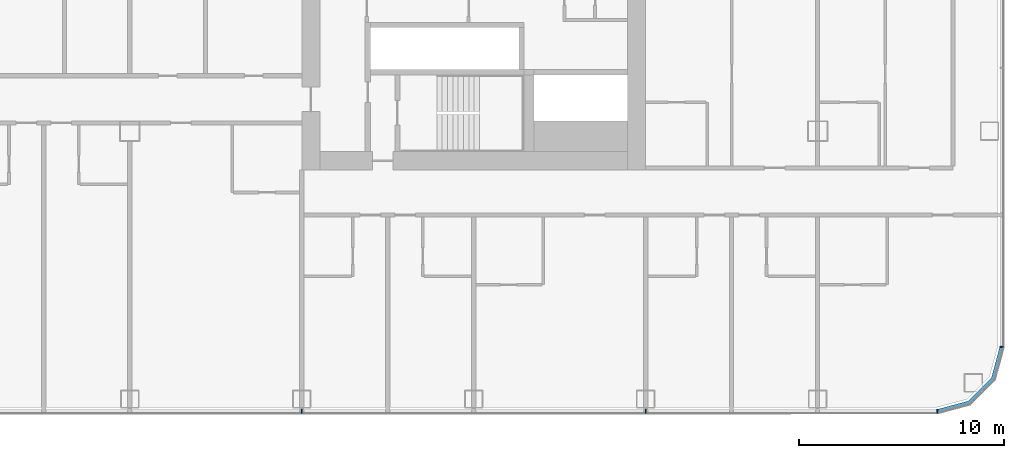
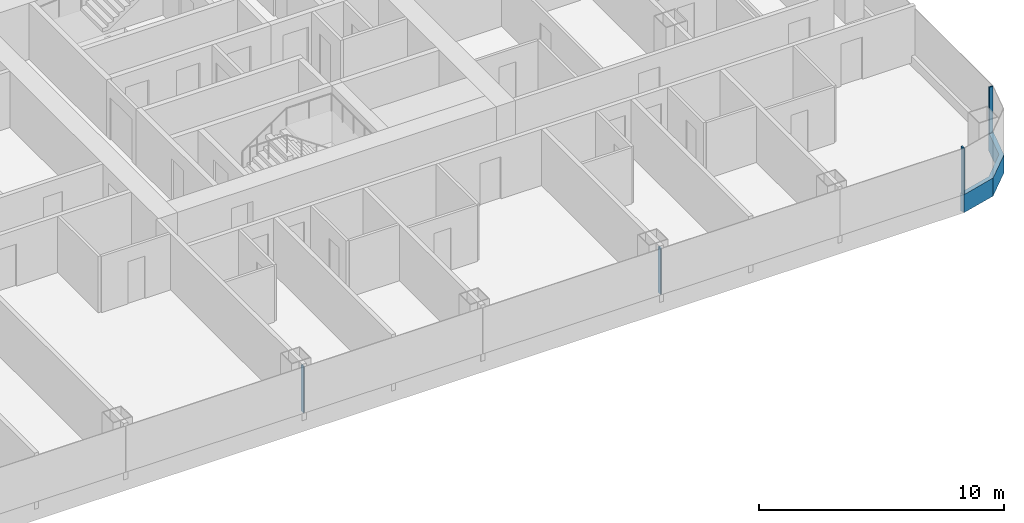
# One storey, part 9 of 29: 5 members, 3 elements without a shape of their own.
"""IFC4 building model written with IfcOpenShell, lengths in metres."""

from ifc_helpers import new_model, si_unit, direction, frame, origin, origin_2d, place, context, subcontext, project, spatial, polyline, rectangle, outline, extrude, material, layer, layer_set, material_profile, profile_set, type_object, element, aggregate, save


model = new_model("IFC4")

# Units and contexts
model_context = context("Model", 3, precision=1e-05, world=origin(), true_north=direction((0.0, 1.0)))
body_context = subcontext(model_context, "Body", "Model", "MODEL_VIEW")
ifc_project = project(units=[si_unit("LENGTHUNIT", "METRE"), si_unit("AREAUNIT", "SQUARE_METRE"), si_unit("VOLUMEUNIT", "CUBIC_METRE"), si_unit("PLANEANGLEUNIT", "RADIAN"), si_unit("MASSUNIT", "GRAM", prefix="KILO")], contexts=[model_context])

# Site, building, storey
site_placement = place(None, origin())
site = spatial("IfcSite", under=ifc_project, at=site_placement, CompositionType="ELEMENT")
building_placement = place(site_placement, origin())
building = spatial("IfcBuilding", under=site, at=building_placement, Name="Hakoniwa Tower and Hamabe Station Hall", CompositionType="ELEMENT")
storey_placement = place(building_placement, frame((0.0, 0.0, 29.39990234375)))
storey = spatial("IfcBuildingStorey", under=building, at=storey_placement, Name="L07", CompositionType="ELEMENT", Elevation=29.39990234375)

# Curtain wall, member
ifc_material_1 = material(Name="Dark low-e laminated glass", Category="glass")
ifc_layer = layer(ifc_material_1, 0.199951171875)
ifc_layer_set = layer_set([ifc_layer], Name="CW-1 UNITISED GUEST")
curtain_wall_type = type_object("IfcCurtainWallType", Name="CW-1 UNITISED GUEST", PredefinedType="NOTDEFINED", material=ifc_layer_set)
curtain_wall_1_placement = place(storey_placement, origin())
curtain_wall_1 = element("IfcCurtainWall", 1, at=curtain_wall_1_placement, inside=storey, type_object=curtain_wall_type, Name="CW-1 curtain wall", PredefinedType="NOTDEFINED")
ifc_material_2 = material(Name="Aluminium 6063-T5 black anodised", Category="aluminium")
ifc_material_profile_1 = material_profile(ifc_material_2, rectangle(XDim=0.199951171875, YDim=0.89990234375, at=origin_2d()), Name="CW SLAB-EDGE BAND 900X200")
ifc_profile_set_1 = profile_set([ifc_material_profile_1], Name="Aluminium 6063-T5 black anodised")
member_type_1 = type_object("IfcMemberType", Name="CW SLAB-EDGE BAND 900X200", PredefinedType="USERDEFINED", material=ifc_profile_set_1)
member_1_placement = place(storey_placement, frame((0.0, 0.0, -0.5498046875)))
member_1 = element("IfcMember", 2, at=member_1_placement, type_object=member_type_1, Name="CW-1 transom", ObjectType="TRANSOM", PredefinedType="USERDEFINED", context=body_context, shape_type="SweptSolid", body=[
    extrude(outline(polyline([(47.839599609375, -20.300048828125), (49.455322265625, -19.866943359375), (50.6669921875, -18.6552734375), (51.10009765625, -17.03955078125), (50.90673828125, -16.98779296875), (50.48779296875, -18.5517578125), (49.351806640625, -19.687744140625), (47.787841796875, -20.10693359375), (47.839599609375, -20.300048828125)])), origin(), (0.0, 0.0, 1.0), 0.89990234375),
])
aggregate(curtain_wall_1, [member_1])

curtain_wall_2_placement = place(storey_placement, origin())
curtain_wall_2 = element("IfcCurtainWall", 3, at=curtain_wall_2_placement, inside=storey, type_object=curtain_wall_type, Name="CW-1 curtain wall", PredefinedType="NOTDEFINED")
ifc_material_3 = material(Name="Aluminium 6063-T5 black anodised", Category="aluminium")
ifc_material_profile_2 = material_profile(ifc_material_3, rectangle(XDim=0.06005859375, YDim=0.179931640625, at=origin_2d()), Name="CW-1 MULLION 60X180")
ifc_profile_set_2 = profile_set([ifc_material_profile_2], Name="Aluminium 6063-T5 black anodised")
member_type_2 = type_object("IfcMemberType", Name="CW-1 MULLION 60X180", PredefinedType="MULLION", material=ifc_profile_set_2)
member_2_placement = place(storey_placement, frame((50.98193359375, -17.03955078125, 0.35009765625), z_axis=(0.0, 0.0, 1.0), x_axis=(0.0, 1.0, 0.0)))
member_2 = element("IfcMember", 4, at=member_2_placement, type_object=member_type_2, Name="CW-1 mullion", PredefinedType="MULLION", context=body_context, shape_type="SweptSolid", body=[
    extrude(rectangle(XDim=0.06005859375, YDim=0.179931640625, at=origin_2d()), origin(), (0.0, 0.0, 1.0), 2.300048828125),
])
aggregate(curtain_wall_2, [member_2])

# Curtain wall, members
curtain_wall_3_placement = place(storey_placement, origin())
curtain_wall_3 = element("IfcCurtainWall", 5, at=curtain_wall_3_placement, inside=storey, type_object=curtain_wall_type, Name="CW-1 curtain wall", PredefinedType="NOTDEFINED")
member_3_placement = place(storey_placement, frame((16.800048828125, -20.181884765625, 0.35009765625), z_axis=(0.0, 0.0, 1.0), x_axis=(1.0, 0.0, 0.0)))
member_3 = element("IfcMember", 6, at=member_3_placement, type_object=member_type_2, Name="CW-1 mullion", PredefinedType="MULLION", context=body_context, shape_type="SweptSolid", body=[
    extrude(rectangle(XDim=0.06005859375, YDim=0.179931640625, at=origin_2d()), origin(), (0.0, 0.0, 1.0), 2.300048828125),
])
member_4_placement = place(storey_placement, frame((33.60009765625, -20.181884765625, 0.35009765625), z_axis=(0.0, 0.0, 1.0), x_axis=(1.0, 0.0, 0.0)))
member_4 = element("IfcMember", 7, at=member_4_placement, type_object=member_type_2, Name="CW-1 mullion", PredefinedType="MULLION", context=body_context, shape_type="SweptSolid", body=[
    extrude(rectangle(XDim=0.06005859375, YDim=0.179931640625, at=origin_2d()), origin(), (0.0, 0.0, 1.0), 2.300048828125),
])
member_5_placement = place(storey_placement, frame((47.839599609375, -20.181884765625, 0.35009765625), z_axis=(0.0, 0.0, 1.0), x_axis=(1.0, 0.0, 0.0)))
member_5 = element("IfcMember", 8, at=member_5_placement, type_object=member_type_2, Name="CW-1 mullion", PredefinedType="MULLION", context=body_context, shape_type="SweptSolid", body=[
    extrude(rectangle(XDim=0.06005859375, YDim=0.179931640625, at=origin_2d()), origin(), (0.0, 0.0, 1.0), 2.300048828125),
])
aggregate(curtain_wall_3, [member_3, member_4, member_5])

save(model, "model.ifc")
